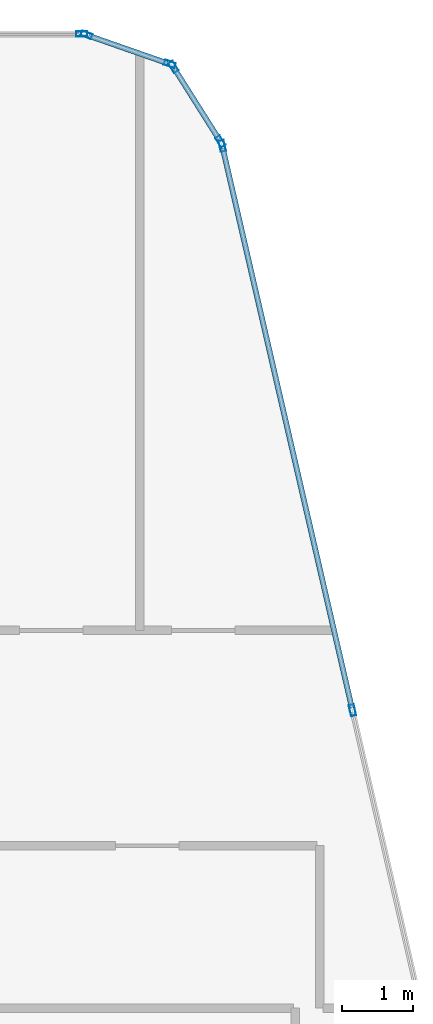
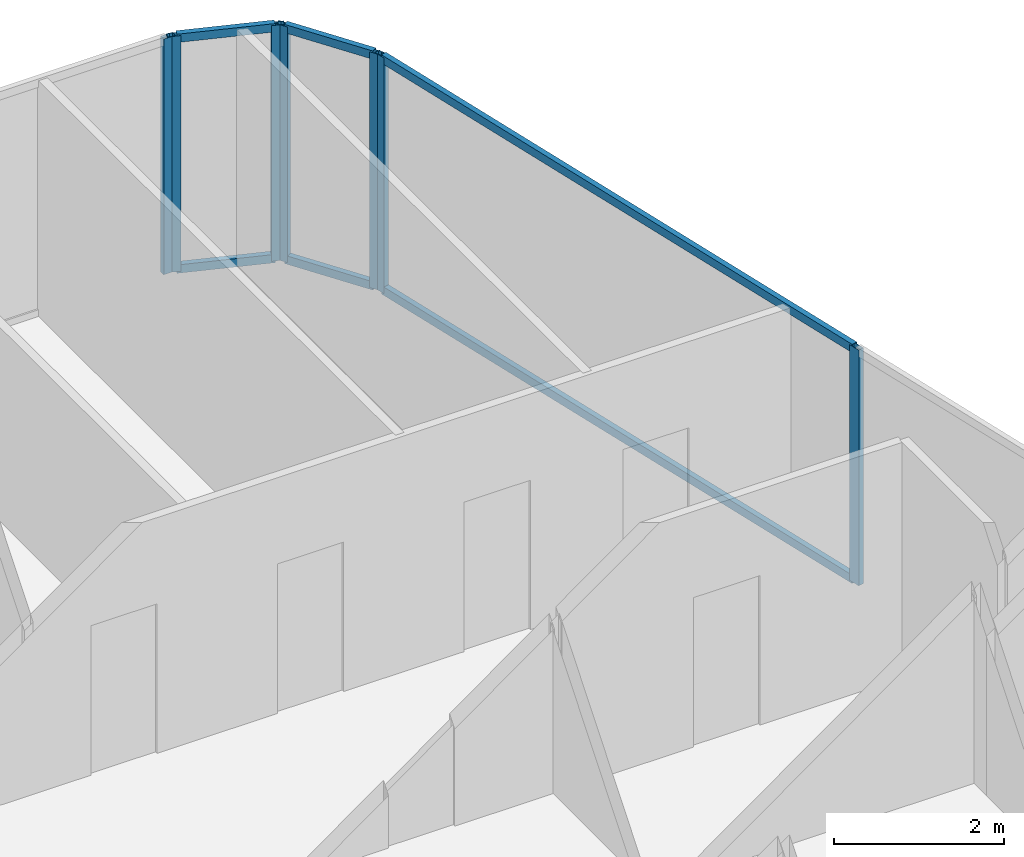
# One storey, part 19 of 27: 13 members, 4 elements without a shape of their own.
"""IFC4 building model written with IfcOpenShell, lengths in metres."""

from ifc_helpers import new_model, si_unit, direction, frame, origin, origin_2d, place, context, subcontext, project, spatial, hollow_rectangle, extrude, material, layer, layer_set, material_profile, profile_set, type_object, element, aggregate, save


model = new_model("IFC4")

# Units and contexts
model_context = context("Model", 3, precision=1e-05, world=origin(), true_north=direction((0.0, 1.0)))
body_context = subcontext(model_context, "Body", "Model", "MODEL_VIEW")
ifc_project = project(units=[si_unit("LENGTHUNIT", "METRE"), si_unit("AREAUNIT", "SQUARE_METRE"), si_unit("VOLUMEUNIT", "CUBIC_METRE"), si_unit("PLANEANGLEUNIT", "RADIAN"), si_unit("MASSUNIT", "GRAM", prefix="KILO")], contexts=[model_context])

# Site, building, storey
site_placement = place(None, origin())
site = spatial("IfcSite", under=ifc_project, at=site_placement, CompositionType="ELEMENT")
building_placement = place(site_placement, origin())
building = spatial("IfcBuilding", under=site, at=building_placement, Name="Keshet Zoharim Tower", CompositionType="ELEMENT")
storey_placement = place(building_placement, frame((0.0, 0.0, 291.699951171875)))
storey = spatial("IfcBuildingStorey", under=building, at=storey_placement, Name="L73", CompositionType="ELEMENT", Elevation=291.699951171875)

# Curtain wall, member
ifc_material = material(Name="Aluminium 6063-T6", Category="aluminium")
ifc_layer = layer(ifc_material, 0.260009765625)
ifc_layer_set = layer_set([ifc_layer], Name="Aluminium 6063-T6")
curtain_wall_type = type_object("IfcCurtainWallType", Name="CW-SYS-06", PredefinedType="NOTDEFINED", material=ifc_layer_set)
curtain_wall_1_placement = place(storey_placement, origin())
curtain_wall_1 = element("IfcCurtainWall", 1, at=curtain_wall_1_placement, inside=storey, type_object=curtain_wall_type, Name="L73 Unitised Curtain Wall 06 Part 5", PredefinedType="NOTDEFINED")
ifc_material_profile_1 = material_profile(ifc_material, hollow_rectangle(XDim=0.074951171875, YDim=0.159912109375, WallThickness=0.00390625, at=origin_2d()), Name="MUL-75x160")
ifc_profile_set_1 = profile_set([ifc_material_profile_1], Name="Aluminium 6063-T6")
member_type_1 = type_object("IfcMemberType", Name="CWM-M15", PredefinedType="MULLION", material=ifc_profile_set_1)
member_1_placement = place(storey_placement, frame((37.3740234375, 53.89990234375, 0.0), z_axis=(0.0, 0.0, 1.0), x_axis=(0.0, 1.0, 0.0)))
member_1 = element("IfcMember", 2, at=member_1_placement, type_object=member_type_1, Name="CW-06 mullion 2", PredefinedType="MULLION", context=body_context, shape_type="SweptSolid", body=[
    extrude(hollow_rectangle(XDim=0.074951171875, YDim=0.159912109375, WallThickness=0.00390625, at=origin_2d()), origin(), (0.0, 0.0, 1.0), 3.39013671875),
])
aggregate(curtain_wall_1, [member_1])

# Curtain wall, members
curtain_wall_2_placement = place(storey_placement, origin())
curtain_wall_2 = element("IfcCurtainWall", 3, at=curtain_wall_2_placement, inside=storey, type_object=curtain_wall_type, Name="L73 Unitised Curtain Wall 07", PredefinedType="NOTDEFINED")
member_2_placement = place(storey_placement, frame((37.442138671875, 53.888427734375, 0.0), z_axis=(0.0, 0.0, 1.0), x_axis=(0.329843743636, 0.944035542119, 0.0)))
member_2 = element("IfcMember", 4, at=member_2_placement, type_object=member_type_1, Name="CW-06 mullion 1", PredefinedType="MULLION", context=body_context, shape_type="SweptSolid", body=[
    extrude(hollow_rectangle(XDim=0.074951171875, YDim=0.159912109375, WallThickness=0.00390625, at=origin_2d()), origin(), (0.0, 0.0, 1.0), 3.39013671875),
])
member_3_placement = place(storey_placement, frame((38.620849609375, 53.4765625, 0.0), z_axis=(0.0, 0.0, 1.0), x_axis=(0.329843743636, 0.944035542119, 0.0)))
member_3 = element("IfcMember", 5, at=member_3_placement, type_object=member_type_1, Name="CW-06 mullion 2", PredefinedType="MULLION", context=body_context, shape_type="SweptSolid", body=[
    extrude(hollow_rectangle(XDim=0.074951171875, YDim=0.159912109375, WallThickness=0.00390625, at=origin_2d()), origin(), (0.0, 0.0, 1.0), 3.39013671875),
])

curtain_wall_3_placement = place(storey_placement, origin())
curtain_wall_3 = element("IfcCurtainWall", 6, at=curtain_wall_3_placement, inside=storey, type_object=curtain_wall_type, Name="L73 Unitised Curtain Wall 08", PredefinedType="NOTDEFINED")
member_4_placement = place(storey_placement, frame((38.672607421875, 53.435302734375, 0.0), z_axis=(0.0, 0.0, 1.0), x_axis=(0.845560976183, 0.533878858502, 0.0)))
member_4 = element("IfcMember", 7, at=member_4_placement, type_object=member_type_1, Name="CW-06 mullion 1", PredefinedType="MULLION", context=body_context, shape_type="SweptSolid", body=[
    extrude(hollow_rectangle(XDim=0.074951171875, YDim=0.159912109375, WallThickness=0.00390625, at=origin_2d()), origin(), (0.0, 0.0, 1.0), 3.39013671875),
])
member_5_placement = place(storey_placement, frame((39.33935546875, 52.379638671875, 0.0), z_axis=(0.0, 0.0, 1.0), x_axis=(0.845560976183, 0.533878858502, 0.0)))
member_5 = element("IfcMember", 8, at=member_5_placement, type_object=member_type_1, Name="CW-06 mullion 2", PredefinedType="MULLION", context=body_context, shape_type="SweptSolid", body=[
    extrude(hollow_rectangle(XDim=0.074951171875, YDim=0.159912109375, WallThickness=0.00390625, at=origin_2d()), origin(), (0.0, 0.0, 1.0), 3.39013671875),
])

curtain_wall_4_placement = place(storey_placement, origin())
curtain_wall_4 = element("IfcCurtainWall", 9, at=curtain_wall_4_placement, inside=storey, type_object=curtain_wall_type, Name="L73 Unitised Curtain Wall 09", PredefinedType="NOTDEFINED")
member_6_placement = place(storey_placement, frame((39.365966796875, 52.31591796875, 0.0), z_axis=(0.0, 0.0, 1.0), x_axis=(0.974398012932, 0.224829963294, 0.0)))
member_6 = element("IfcMember", 10, at=member_6_placement, type_object=member_type_1, Name="CW-06 mullion 1", PredefinedType="MULLION", context=body_context, shape_type="SweptSolid", body=[
    extrude(hollow_rectangle(XDim=0.074951171875, YDim=0.159912109375, WallThickness=0.00390625, at=origin_2d()), origin(), (0.0, 0.0, 1.0), 3.39013671875),
])
member_7_placement = place(storey_placement, frame((41.210693359375, 44.320556640625, 0.0), z_axis=(0.0, 0.0, 1.0), x_axis=(0.974398012932, 0.224829963294, 0.0)))
member_7 = element("IfcMember", 11, at=member_7_placement, type_object=member_type_1, Name="CW-06 mullion 2", PredefinedType="MULLION", context=body_context, shape_type="SweptSolid", body=[
    extrude(hollow_rectangle(XDim=0.074951171875, YDim=0.159912109375, WallThickness=0.00390625, at=origin_2d()), origin(), (0.0, 0.0, 1.0), 3.39013671875),
])

# Member
ifc_material_profile_2 = material_profile(ifc_material, hollow_rectangle(XDim=0.074951171875, YDim=0.1201171875, WallThickness=0.00390625, at=origin_2d()), Name="TRN-75x120")
ifc_profile_set_2 = profile_set([ifc_material_profile_2], Name="Aluminium 6063-T6")
member_type_2 = type_object("IfcMemberType", Name="CWT-T12", PredefinedType="USERDEFINED", material=ifc_profile_set_2)
member_8_placement = place(storey_placement, frame((37.47509765625, 53.876953125, 0.03515625), z_axis=(0.944006789648, -0.329926023675, 0.0), x_axis=(0.329926023675, 0.944006789648, 0.0)))
member_8 = element("IfcMember", 12, at=member_8_placement, type_object=member_type_2, Name="CW-06 transom 1.1", ObjectType="TRANSOM", PredefinedType="USERDEFINED", context=body_context, shape_type="SweptSolid", body=[
    extrude(hollow_rectangle(XDim=0.074951171875, YDim=0.1201171875, WallThickness=0.00390625, at=origin_2d()), origin(), (0.0, 0.0, 1.0), 1.1787109375),
])

member_9_placement = place(storey_placement, frame((37.47509765625, 53.876953125, 3.35498046875), z_axis=(0.944006789648, -0.329926023675, 0.0), x_axis=(0.329926023675, 0.944006789648, 0.0)))
member_9 = element("IfcMember", 13, at=member_9_placement, type_object=member_type_2, Name="CW-06 transom 1.2", ObjectType="TRANSOM", PredefinedType="USERDEFINED", context=body_context, shape_type="SweptSolid", body=[
    extrude(hollow_rectangle(XDim=0.074951171875, YDim=0.1201171875, WallThickness=0.00390625, at=origin_2d()), origin(), (0.0, 0.0, 1.0), 1.1787109375),
])

aggregate(curtain_wall_2, [member_2, member_3, member_8, member_9])

member_10_placement = place(storey_placement, frame((38.69140625, 53.40576171875, 0.03515625), z_axis=(0.53382931122, -0.845592257819, 0.0), x_axis=(0.845592257819, 0.53382931122, 0.0)))
member_10 = element("IfcMember", 14, at=member_10_placement, type_object=member_type_2, Name="CW-06 transom 1.1", ObjectType="TRANSOM", PredefinedType="USERDEFINED", context=body_context, shape_type="SweptSolid", body=[
    extrude(hollow_rectangle(XDim=0.074951171875, YDim=0.1201171875, WallThickness=0.00390625, at=origin_2d()), origin(), (0.0, 0.0, 1.0), 1.178466796875),
])

member_11_placement = place(storey_placement, frame((38.69140625, 53.40576171875, 3.35498046875), z_axis=(0.53382931122, -0.845592257819, 0.0), x_axis=(0.845592257819, 0.53382931122, 0.0)))
member_11 = element("IfcMember", 15, at=member_11_placement, type_object=member_type_2, Name="CW-06 transom 1.2", ObjectType="TRANSOM", PredefinedType="USERDEFINED", context=body_context, shape_type="SweptSolid", body=[
    extrude(hollow_rectangle(XDim=0.074951171875, YDim=0.1201171875, WallThickness=0.00390625, at=origin_2d()), origin(), (0.0, 0.0, 1.0), 1.178466796875),
])

aggregate(curtain_wall_3, [member_4, member_5, member_10, member_11])

member_12_placement = place(storey_placement, frame((39.373779296875, 52.28173828125, 0.03515625), z_axis=(0.224835397421, -0.97439675906, 0.0), x_axis=(0.97439675906, 0.224835397421, 0.0)))
member_12 = element("IfcMember", 16, at=member_12_placement, type_object=member_type_2, Name="CW-06 transom 1.1", ObjectType="TRANSOM", PredefinedType="USERDEFINED", context=body_context, shape_type="SweptSolid", body=[
    extrude(hollow_rectangle(XDim=0.074951171875, YDim=0.1201171875, WallThickness=0.00390625, at=origin_2d()), origin(), (0.0, 0.0, 1.0), 8.13525390625),
])

member_13_placement = place(storey_placement, frame((39.373779296875, 52.28173828125, 3.35498046875), z_axis=(0.224835397421, -0.97439675906, 0.0), x_axis=(0.97439675906, 0.224835397421, 0.0)))
member_13 = element("IfcMember", 17, at=member_13_placement, type_object=member_type_2, Name="CW-06 transom 1.2", ObjectType="TRANSOM", PredefinedType="USERDEFINED", context=body_context, shape_type="SweptSolid", body=[
    extrude(hollow_rectangle(XDim=0.074951171875, YDim=0.1201171875, WallThickness=0.00390625, at=origin_2d()), origin(), (0.0, 0.0, 1.0), 8.13525390625),
])

aggregate(curtain_wall_4, [member_6, member_7, member_12, member_13])

save(model, "model.ifc")
